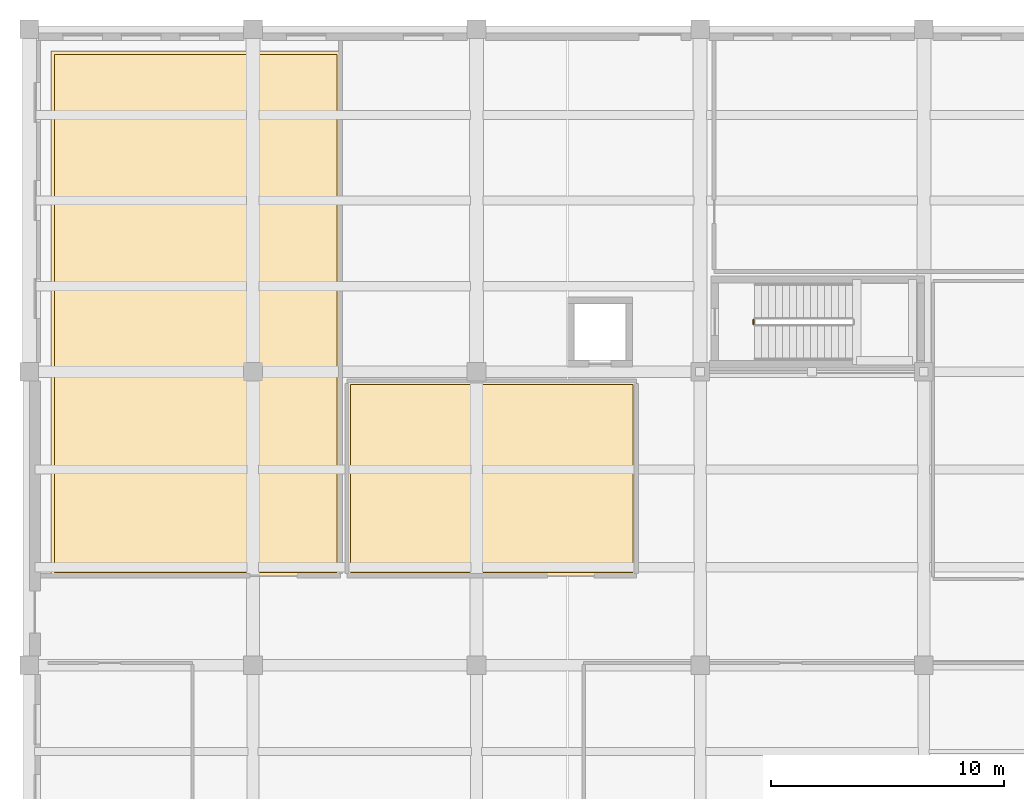
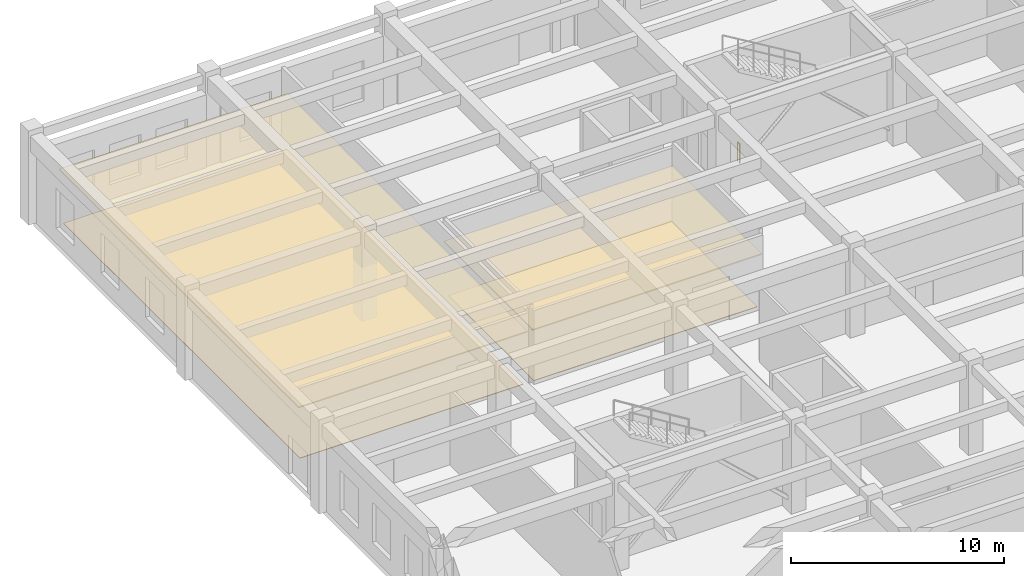
# One storey, part 90 of 98: 4 coverings, 1 railing.
"""IFC4 building model written with IfcOpenShell, lengths in metres."""

from ifc_helpers import new_model, si_unit, direction, frame, origin, origin_2d, place, context, subcontext, project, spatial, polyline, circle, outline, extrude, material, layer, layer_set, type_object, element, save


model = new_model("IFC4")

# Units and contexts
model_context = context("Model", 3, precision=1e-05, world=origin(), true_north=direction((0.0, 1.0)))
body_context = subcontext(model_context, "Body", "Model", "MODEL_VIEW")
ifc_project = project(units=[si_unit("LENGTHUNIT", "METRE"), si_unit("AREAUNIT", "SQUARE_METRE"), si_unit("VOLUMEUNIT", "CUBIC_METRE"), si_unit("PLANEANGLEUNIT", "RADIAN"), si_unit("MASSUNIT", "GRAM", prefix="KILO")], contexts=[model_context])

# Site, building, storey
site_placement = place(None, origin())
site = spatial("IfcSite", under=ifc_project, at=site_placement, CompositionType="ELEMENT")
building_placement = place(site_placement, origin())
building = spatial("IfcBuilding", under=site, at=building_placement, Name="Tarnavel Promenade Courthouse", CompositionType="ELEMENT")
storey_placement = place(building_placement, origin())
storey = spatial("IfcBuildingStorey", under=building, at=storey_placement, Name="L01", CompositionType="ELEMENT", Elevation=0.0)

# Coverings
ifc_material_1 = material(Name="Engineered Smoked Oak Courtroom & Chambers Parquet")
ifc_layer_1 = layer(ifc_material_1, 0.031982421875)
ifc_layer_set_1 = layer_set([ifc_layer_1], Name="Engineered Smoked Oak Courtroom & Chambers Parquet")
covering_type_1 = type_object("IfcCoveringType", Name="Engineered Smoked Oak Courtroom & Chambers Parquet (COV-FLR-OAK-32)", PredefinedType="FLOORING", material=ifc_layer_set_1)
covering_1_placement = place(storey_placement, origin())
element("IfcCovering", 1, at=covering_1_placement, inside=storey, type_object=covering_type_1, Name="L01 District Civil Courtroom Architectural Flooring 0001", PredefinedType="FLOORING", context=body_context, shape_type="SweptSolid", body=[
    extrude(outline(polyline([(1.090087890625, 89.489990234375), (13.2099609375, 89.489990234375), (13.2099609375, 111.7099609375), (1.090087890625, 111.7099609375), (1.090087890625, 89.489990234375)])), origin(), (0.0, 0.0, 1.0), 0.031982421875),
])
covering_2_placement = place(storey_placement, origin())
element("IfcCovering", 2, at=covering_2_placement, inside=storey, type_object=covering_type_1, Name="L01 Magistrates' Summary Courtroom Architectural Flooring 0002", PredefinedType="FLOORING", context=body_context, shape_type="SweptSolid", body=[
    extrude(outline(polyline([(13.7900390625, 89.489990234375), (25.909912109375, 89.489990234375), (25.909912109375, 97.550048828125), (13.7900390625, 97.550048828125), (13.7900390625, 89.489990234375)])), origin(), (0.0, 0.0, 1.0), 0.031982421875),
])

# Railing
ifc_material_2 = material(Name="Painted Architectural Steel Core Stair Guardrail", Category="steel")
railing_type = type_object("IfcRailingType", Name="Painted Architectural Steel Core Stair Guardrail (RL-GRD-1100)", PredefinedType="GUARDRAIL", material=ifc_material_2)
railing_placement = place(storey_placement, frame((31.090087890625, 100.139892578125, 0.0)))
element("IfcRailing", 3, at=railing_placement, inside=storey, type_object=railing_type, Name="L01 ST-07 stair guard 4", PredefinedType="GUARDRAIL", context=body_context, shape_type="SweptSolid", body=[
    extrude(circle(Radius=0.02392578125, at=origin_2d()), frame((0.0, 0.0, 1.076171875), z_axis=(0.0, 1.0, 0.0), x_axis=(-1.0, 0.0, 0.0)), (0.0, 0.0, 1.0), 0.2001953125),
    extrude(circle(Radius=0.02099609375, at=origin_2d()), origin(), (0.0, 0.0, 1.0), 1.052001953125),
    extrude(circle(Radius=0.02099609375, at=origin_2d()), frame((0.0, 0.2001953125, 0.0)), (0.0, 0.0, 1.0), 1.052001953125),
])

# Coverings
ifc_material_3 = material(Name="Slatted Acoustic White Oak Baffle Ceiling")
ifc_layer_2 = layer(ifc_material_3, 0.06494140625)
ifc_layer_set_2 = layer_set([ifc_layer_2], Name="Slatted Acoustic White Oak Baffle Ceiling")
covering_type_2 = type_object("IfcCoveringType", Name="Slatted Acoustic White Oak Baffle Ceiling (COV-CLG-OAK-65)", PredefinedType="CEILING", material=ifc_layer_set_2)
covering_3_placement = place(storey_placement, frame((0.0, 0.0, 3.034912109375)))
element("IfcCovering", 4, at=covering_3_placement, inside=storey, type_object=covering_type_2, Name="L01 District Civil Courtroom Acoustic Ceiling 0001", PredefinedType="CEILING", context=body_context, shape_type="SweptSolid", body=[
    extrude(outline(polyline([(0.93994140625, 89.340087890625), (13.360107421875, 89.340087890625), (13.360107421875, 111.860107421875), (0.93994140625, 111.860107421875), (0.93994140625, 89.340087890625)])), origin(), (0.0, 0.0, 1.0), 0.065185546875),
])
covering_4_placement = place(storey_placement, frame((0.0, 0.0, 3.034912109375)))
element("IfcCovering", 5, at=covering_4_placement, inside=storey, type_object=covering_type_2, Name="L01 Magistrates' Summary Courtroom Acoustic Ceiling 0002", PredefinedType="CEILING", context=body_context, shape_type="SweptSolid", body=[
    extrude(outline(polyline([(13.639892578125, 89.340087890625), (26.06005859375, 89.340087890625), (26.06005859375, 97.699951171875), (13.639892578125, 97.699951171875), (13.639892578125, 89.340087890625)])), origin(), (0.0, 0.0, 1.0), 0.065185546875),
])

save(model, "model.ifc")
